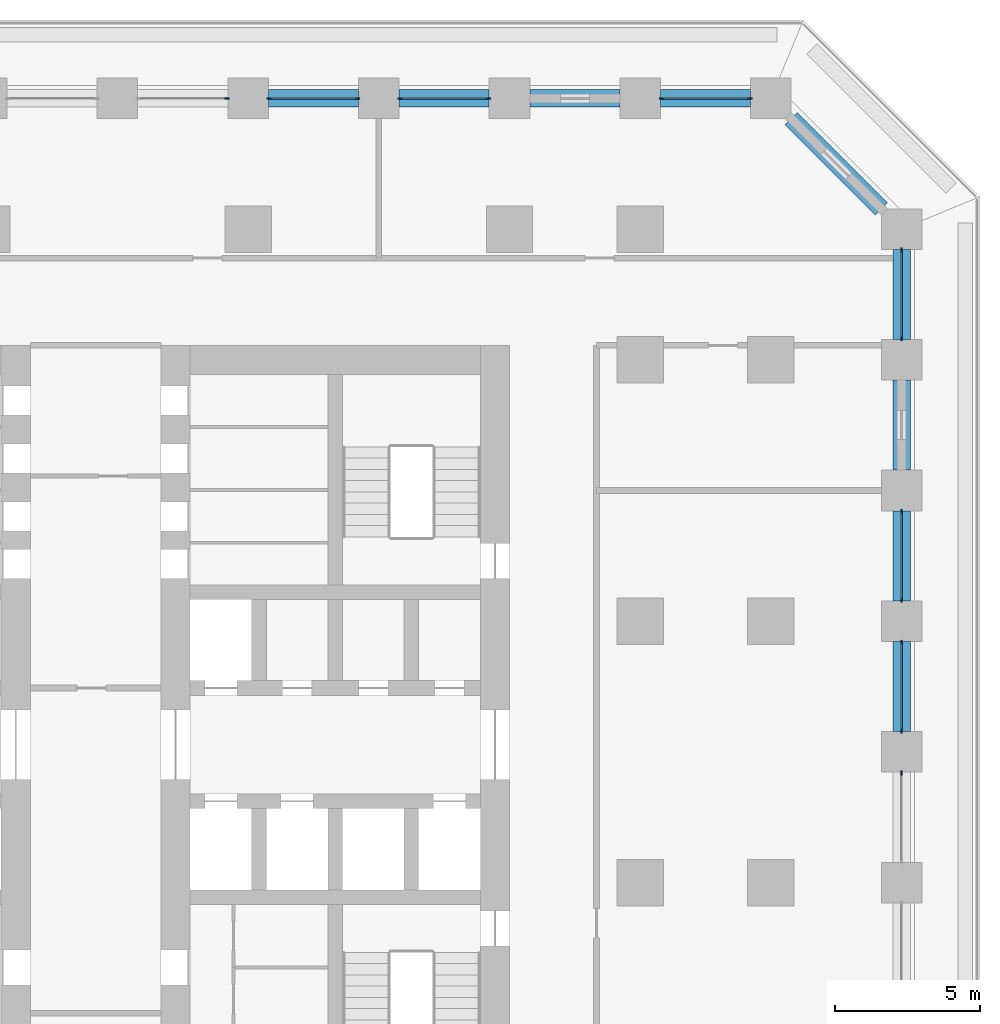
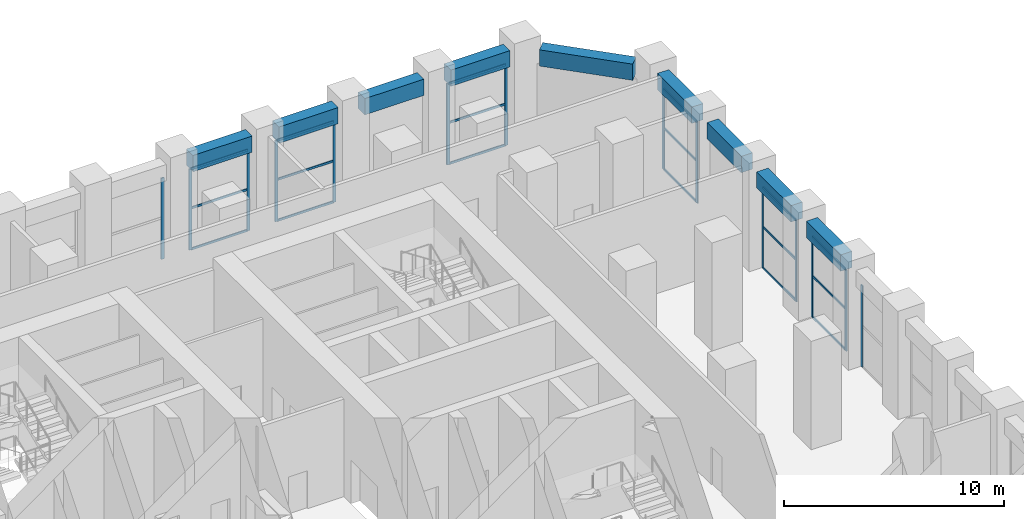
# One storey, part 8 of 19: 32 members, 9 beams, 8 elements without a shape of their own.
"""IFC4 building model written with IfcOpenShell, lengths in metres."""

from ifc_helpers import new_model, si_unit, direction, frame, origin, origin_2d, place, context, subcontext, project, spatial, rectangle, extrude, material, material_profile, profile_set, type_object, element, aggregate, save


model = new_model("IFC4")

# Units and contexts
model_context = context("Model", 3, precision=1e-05, world=origin(), true_north=direction((0.0, 1.0)))
body_context = subcontext(model_context, "Body", "Model", "MODEL_VIEW")
ifc_project = project(units=[si_unit("LENGTHUNIT", "METRE"), si_unit("AREAUNIT", "SQUARE_METRE"), si_unit("VOLUMEUNIT", "CUBIC_METRE"), si_unit("PLANEANGLEUNIT", "RADIAN"), si_unit("MASSUNIT", "GRAM", prefix="KILO")], contexts=[model_context])

# Site, building, storey
site_placement = place(None, origin())
site = spatial("IfcSite", under=ifc_project, at=site_placement, CompositionType="ELEMENT")
building_placement = place(site_placement, origin())
building = spatial("IfcBuilding", under=site, at=building_placement, Name="Corbel Stack Research Tower", CompositionType="ELEMENT")
storey_placement = place(building_placement, frame((0.0, 0.0, 70.60009765625)))
storey = spatial("IfcBuildingStorey", under=building, at=storey_placement, Name="L16", CompositionType="ELEMENT", Elevation=70.60009765625)

# Curtain wall, member
ifc_material_1 = material(Name="Aluminium frame, clear glass", Category="aluminium")
curtain_wall_type = type_object("IfcCurtainWallType", Name="Amenity floor curtain wall CW2", PredefinedType="NOTDEFINED", material=ifc_material_1)
curtain_wall_1_placement = place(storey_placement, origin())
curtain_wall_1 = element("IfcCurtainWall", 1, at=curtain_wall_1_placement, inside=storey, type_object=curtain_wall_type, Name="Curtain wall CW2 L16 E06", PredefinedType="NOTDEFINED")
ifc_material_2 = material(Name="Aluminium mullion", Category="aluminium")
ifc_material_profile_1 = material_profile(ifc_material_2, rectangle(XDim=0.06005859375, YDim=0.159912109375, at=origin_2d()), Name="Mullion 60 x 160")
ifc_profile_set_1 = profile_set([ifc_material_profile_1], Name="Aluminium mullion")
member_type_1 = type_object("IfcMemberType", Name="Curtain wall mullion 60 x 160", PredefinedType="MULLION", material=ifc_profile_set_1)
member_1_placement = place(storey_placement, frame((31.5, 3.77001953125, 0.0), z_axis=(0.0, 0.0, 1.0), x_axis=(-1.0, 0.0, 0.0)))
member_1 = element("IfcMember", 2, at=member_1_placement, type_object=member_type_1, Name="CW2 L16 E06 mullion 2", PredefinedType="MULLION", context=body_context, shape_type="SweptSolid", body=[
    extrude(rectangle(XDim=0.06005859375, YDim=0.159912109375, at=origin_2d()), origin(), (0.0, 0.0, 1.0), 4.5),
])
aggregate(curtain_wall_1, [member_1])

# Curtain wall, members
curtain_wall_2_placement = place(storey_placement, origin())
curtain_wall_2 = element("IfcCurtainWall", 3, at=curtain_wall_2_placement, inside=storey, type_object=curtain_wall_type, Name="Curtain wall CW2 L16 E07", PredefinedType="NOTDEFINED")
member_2_placement = place(storey_placement, frame((31.5, 5.22998046875, 0.0), z_axis=(0.0, 0.0, 1.0), x_axis=(-1.0, 0.0, 0.0)))
member_2 = element("IfcMember", 4, at=member_2_placement, type_object=member_type_1, Name="CW2 L16 E07 mullion 1", PredefinedType="MULLION", context=body_context, shape_type="SweptSolid", body=[
    extrude(rectangle(XDim=0.06005859375, YDim=0.159912109375, at=origin_2d()), origin(), (0.0, 0.0, 1.0), 4.5),
])
member_3_placement = place(storey_placement, frame((31.5, 8.27001953125, 0.0), z_axis=(0.0, 0.0, 1.0), x_axis=(-1.0, 0.0, 0.0)))
member_3 = element("IfcMember", 5, at=member_3_placement, type_object=member_type_1, Name="CW2 L16 E07 mullion 2", PredefinedType="MULLION", context=body_context, shape_type="SweptSolid", body=[
    extrude(rectangle(XDim=0.06005859375, YDim=0.159912109375, at=origin_2d()), origin(), (0.0, 0.0, 1.0), 4.5),
])

curtain_wall_3_placement = place(storey_placement, origin())
curtain_wall_3 = element("IfcCurtainWall", 6, at=curtain_wall_3_placement, inside=storey, type_object=curtain_wall_type, Name="Curtain wall CW2 L16 E08", PredefinedType="NOTDEFINED")
member_4_placement = place(storey_placement, frame((31.5, 9.72998046875, 0.0), z_axis=(0.0, 0.0, 1.0), x_axis=(-1.0, 0.0, 0.0)))
member_4 = element("IfcMember", 7, at=member_4_placement, type_object=member_type_1, Name="CW2 L16 E08 mullion 1", PredefinedType="MULLION", context=body_context, shape_type="SweptSolid", body=[
    extrude(rectangle(XDim=0.06005859375, YDim=0.159912109375, at=origin_2d()), origin(), (0.0, 0.0, 1.0), 4.5),
])
member_5_placement = place(storey_placement, frame((31.5, 12.77001953125, 0.0), z_axis=(0.0, 0.0, 1.0), x_axis=(-1.0, 0.0, 0.0)))
member_5 = element("IfcMember", 8, at=member_5_placement, type_object=member_type_1, Name="CW2 L16 E08 mullion 2", PredefinedType="MULLION", context=body_context, shape_type="SweptSolid", body=[
    extrude(rectangle(XDim=0.06005859375, YDim=0.159912109375, at=origin_2d()), origin(), (0.0, 0.0, 1.0), 4.5),
])

curtain_wall_4_placement = place(storey_placement, origin())
curtain_wall_4 = element("IfcCurtainWall", 9, at=curtain_wall_4_placement, inside=storey, type_object=curtain_wall_type, Name="Curtain wall CW2 L16 E10", PredefinedType="NOTDEFINED")
member_6_placement = place(storey_placement, frame((31.5, 18.72998046875, 0.0), z_axis=(0.0, 0.0, 1.0), x_axis=(-1.0, 0.0, 0.0)))
member_6 = element("IfcMember", 10, at=member_6_placement, type_object=member_type_1, Name="CW2 L16 E10 mullion 1", PredefinedType="MULLION", context=body_context, shape_type="SweptSolid", body=[
    extrude(rectangle(XDim=0.06005859375, YDim=0.159912109375, at=origin_2d()), origin(), (0.0, 0.0, 1.0), 4.5),
])
member_7_placement = place(storey_placement, frame((31.5, 21.77001953125, 0.0), z_axis=(0.0, 0.0, 1.0), x_axis=(-1.0, 0.0, 0.0)))
member_7 = element("IfcMember", 11, at=member_7_placement, type_object=member_type_1, Name="CW2 L16 E10 mullion 2", PredefinedType="MULLION", context=body_context, shape_type="SweptSolid", body=[
    extrude(rectangle(XDim=0.06005859375, YDim=0.159912109375, at=origin_2d()), origin(), (0.0, 0.0, 1.0), 4.5),
])

curtain_wall_5_placement = place(storey_placement, origin())
curtain_wall_5 = element("IfcCurtainWall", 12, at=curtain_wall_5_placement, inside=storey, type_object=curtain_wall_type, Name="Curtain wall CW2 L16 N01", PredefinedType="NOTDEFINED")
member_8_placement = place(storey_placement, frame((26.27001953125, 27.0, 0.0), z_axis=(0.0, 0.0, 1.0), x_axis=(0.0, -1.0, 0.0)))
member_8 = element("IfcMember", 13, at=member_8_placement, type_object=member_type_1, Name="CW2 L16 N01 mullion 1", PredefinedType="MULLION", context=body_context, shape_type="SweptSolid", body=[
    extrude(rectangle(XDim=0.06005859375, YDim=0.159912109375, at=origin_2d()), origin(), (0.0, 0.0, 1.0), 4.5),
])
member_9_placement = place(storey_placement, frame((23.22998046875, 27.0, 0.0), z_axis=(0.0, 0.0, 1.0), x_axis=(0.0, -1.0, 0.0)))
member_9 = element("IfcMember", 14, at=member_9_placement, type_object=member_type_1, Name="CW2 L16 N01 mullion 2", PredefinedType="MULLION", context=body_context, shape_type="SweptSolid", body=[
    extrude(rectangle(XDim=0.06005859375, YDim=0.159912109375, at=origin_2d()), origin(), (0.0, 0.0, 1.0), 4.5),
])

curtain_wall_6_placement = place(storey_placement, origin())
curtain_wall_6 = element("IfcCurtainWall", 15, at=curtain_wall_6_placement, inside=storey, type_object=curtain_wall_type, Name="Curtain wall CW2 L16 N03", PredefinedType="NOTDEFINED")
member_10_placement = place(storey_placement, frame((17.27001953125, 27.0, 0.0), z_axis=(0.0, 0.0, 1.0), x_axis=(0.0, -1.0, 0.0)))
member_10 = element("IfcMember", 16, at=member_10_placement, type_object=member_type_1, Name="CW2 L16 N03 mullion 1", PredefinedType="MULLION", context=body_context, shape_type="SweptSolid", body=[
    extrude(rectangle(XDim=0.06005859375, YDim=0.159912109375, at=origin_2d()), origin(), (0.0, 0.0, 1.0), 4.5),
])
member_11_placement = place(storey_placement, frame((14.22998046875, 27.0, 0.0), z_axis=(0.0, 0.0, 1.0), x_axis=(0.0, -1.0, 0.0)))
member_11 = element("IfcMember", 17, at=member_11_placement, type_object=member_type_1, Name="CW2 L16 N03 mullion 2", PredefinedType="MULLION", context=body_context, shape_type="SweptSolid", body=[
    extrude(rectangle(XDim=0.06005859375, YDim=0.159912109375, at=origin_2d()), origin(), (0.0, 0.0, 1.0), 4.5),
])

curtain_wall_7_placement = place(storey_placement, origin())
curtain_wall_7 = element("IfcCurtainWall", 18, at=curtain_wall_7_placement, inside=storey, type_object=curtain_wall_type, Name="Curtain wall CW2 L16 N04", PredefinedType="NOTDEFINED")
member_12_placement = place(storey_placement, frame((12.77001953125, 27.0, 0.0), z_axis=(0.0, 0.0, 1.0), x_axis=(0.0, -1.0, 0.0)))
member_12 = element("IfcMember", 19, at=member_12_placement, type_object=member_type_1, Name="CW2 L16 N04 mullion 1", PredefinedType="MULLION", context=body_context, shape_type="SweptSolid", body=[
    extrude(rectangle(XDim=0.06005859375, YDim=0.159912109375, at=origin_2d()), origin(), (0.0, 0.0, 1.0), 4.5),
])
member_13_placement = place(storey_placement, frame((9.72998046875, 27.0, 0.0), z_axis=(0.0, 0.0, 1.0), x_axis=(0.0, -1.0, 0.0)))
member_13 = element("IfcMember", 20, at=member_13_placement, type_object=member_type_1, Name="CW2 L16 N04 mullion 2", PredefinedType="MULLION", context=body_context, shape_type="SweptSolid", body=[
    extrude(rectangle(XDim=0.06005859375, YDim=0.159912109375, at=origin_2d()), origin(), (0.0, 0.0, 1.0), 4.5),
])

# Curtain wall, member
curtain_wall_8_placement = place(storey_placement, origin())
curtain_wall_8 = element("IfcCurtainWall", 21, at=curtain_wall_8_placement, inside=storey, type_object=curtain_wall_type, Name="Curtain wall CW2 L16 N05", PredefinedType="NOTDEFINED")
member_14_placement = place(storey_placement, frame((8.27001953125, 27.0, 0.0), z_axis=(0.0, 0.0, 1.0), x_axis=(0.0, -1.0, 0.0)))
member_14 = element("IfcMember", 22, at=member_14_placement, type_object=member_type_1, Name="CW2 L16 N05 mullion 1", PredefinedType="MULLION", context=body_context, shape_type="SweptSolid", body=[
    extrude(rectangle(XDim=0.06005859375, YDim=0.159912109375, at=origin_2d()), origin(), (0.0, 0.0, 1.0), 4.5),
])
aggregate(curtain_wall_8, [member_14])

# Member
ifc_material_3 = material(Name="Aluminium transom", Category="aluminium")
ifc_material_profile_2 = material_profile(ifc_material_3, rectangle(XDim=0.06005859375, YDim=0.1201171875, at=origin_2d()), Name="Transom 60 x 120")
ifc_profile_set_2 = profile_set([ifc_material_profile_2], Name="Aluminium transom")
member_type_2 = type_object("IfcMemberType", Name="Curtain wall transom 60 x 120", PredefinedType="USERDEFINED", material=ifc_profile_set_2)
member_15_placement = place(storey_placement, frame((31.5, 5.260009765625, 0.02978515625), z_axis=(0.0, 1.0, 0.0), x_axis=(-1.0, 0.0, 0.0)))
member_15 = element("IfcMember", 23, at=member_15_placement, type_object=member_type_2, Name="CW2 L16 E07 transom 1.1", ObjectType="TRANSOM", PredefinedType="USERDEFINED", context=body_context, shape_type="SweptSolid", body=[
    extrude(rectangle(XDim=0.06005859375, YDim=0.1201171875, at=origin_2d()), origin(), (0.0, 0.0, 1.0), 2.97998046875),
])

member_16_placement = place(storey_placement, frame((31.5, 5.260009765625, 2.2998046875), z_axis=(0.0, 1.0, 0.0), x_axis=(-1.0, 0.0, 0.0)))
member_16 = element("IfcMember", 24, at=member_16_placement, type_object=member_type_2, Name="CW2 L16 E07 transom 1.2", ObjectType="TRANSOM", PredefinedType="USERDEFINED", context=body_context, shape_type="SweptSolid", body=[
    extrude(rectangle(XDim=0.06005859375, YDim=0.1201171875, at=origin_2d()), origin(), (0.0, 0.0, 1.0), 2.97998046875),
])

member_17_placement = place(storey_placement, frame((31.5, 5.260009765625, 4.469970703125), z_axis=(0.0, 1.0, 0.0), x_axis=(-1.0, 0.0, 0.0)))
member_17 = element("IfcMember", 25, at=member_17_placement, type_object=member_type_2, Name="CW2 L16 E07 transom 1.3", ObjectType="TRANSOM", PredefinedType="USERDEFINED", context=body_context, shape_type="SweptSolid", body=[
    extrude(rectangle(XDim=0.06005859375, YDim=0.1201171875, at=origin_2d()), origin(), (0.0, 0.0, 1.0), 2.97998046875),
])

aggregate(curtain_wall_2, [member_2, member_3, member_15, member_16, member_17])

member_18_placement = place(storey_placement, frame((31.5, 9.760009765625, 0.02978515625), z_axis=(0.0, 1.0, 0.0), x_axis=(-1.0, 0.0, 0.0)))
member_18 = element("IfcMember", 26, at=member_18_placement, type_object=member_type_2, Name="CW2 L16 E08 transom 1.1", ObjectType="TRANSOM", PredefinedType="USERDEFINED", context=body_context, shape_type="SweptSolid", body=[
    extrude(rectangle(XDim=0.06005859375, YDim=0.1201171875, at=origin_2d()), origin(), (0.0, 0.0, 1.0), 2.97998046875),
])

member_19_placement = place(storey_placement, frame((31.5, 9.760009765625, 2.2998046875), z_axis=(0.0, 1.0, 0.0), x_axis=(-1.0, 0.0, 0.0)))
member_19 = element("IfcMember", 27, at=member_19_placement, type_object=member_type_2, Name="CW2 L16 E08 transom 1.2", ObjectType="TRANSOM", PredefinedType="USERDEFINED", context=body_context, shape_type="SweptSolid", body=[
    extrude(rectangle(XDim=0.06005859375, YDim=0.1201171875, at=origin_2d()), origin(), (0.0, 0.0, 1.0), 2.97998046875),
])

member_20_placement = place(storey_placement, frame((31.5, 9.760009765625, 4.469970703125), z_axis=(0.0, 1.0, 0.0), x_axis=(-1.0, 0.0, 0.0)))
member_20 = element("IfcMember", 28, at=member_20_placement, type_object=member_type_2, Name="CW2 L16 E08 transom 1.3", ObjectType="TRANSOM", PredefinedType="USERDEFINED", context=body_context, shape_type="SweptSolid", body=[
    extrude(rectangle(XDim=0.06005859375, YDim=0.1201171875, at=origin_2d()), origin(), (0.0, 0.0, 1.0), 2.97998046875),
])

aggregate(curtain_wall_3, [member_4, member_5, member_18, member_19, member_20])

member_21_placement = place(storey_placement, frame((31.5, 18.760009765625, 0.02978515625), z_axis=(0.0, 1.0, 0.0), x_axis=(-1.0, 0.0, 0.0)))
member_21 = element("IfcMember", 29, at=member_21_placement, type_object=member_type_2, Name="CW2 L16 E10 transom 1.1", ObjectType="TRANSOM", PredefinedType="USERDEFINED", context=body_context, shape_type="SweptSolid", body=[
    extrude(rectangle(XDim=0.06005859375, YDim=0.1201171875, at=origin_2d()), origin(), (0.0, 0.0, 1.0), 2.97998046875),
])

member_22_placement = place(storey_placement, frame((31.5, 18.760009765625, 2.2998046875), z_axis=(0.0, 1.0, 0.0), x_axis=(-1.0, 0.0, 0.0)))
member_22 = element("IfcMember", 30, at=member_22_placement, type_object=member_type_2, Name="CW2 L16 E10 transom 1.2", ObjectType="TRANSOM", PredefinedType="USERDEFINED", context=body_context, shape_type="SweptSolid", body=[
    extrude(rectangle(XDim=0.06005859375, YDim=0.1201171875, at=origin_2d()), origin(), (0.0, 0.0, 1.0), 2.97998046875),
])

member_23_placement = place(storey_placement, frame((31.5, 18.760009765625, 4.469970703125), z_axis=(0.0, 1.0, 0.0), x_axis=(-1.0, 0.0, 0.0)))
member_23 = element("IfcMember", 31, at=member_23_placement, type_object=member_type_2, Name="CW2 L16 E10 transom 1.3", ObjectType="TRANSOM", PredefinedType="USERDEFINED", context=body_context, shape_type="SweptSolid", body=[
    extrude(rectangle(XDim=0.06005859375, YDim=0.1201171875, at=origin_2d()), origin(), (0.0, 0.0, 1.0), 2.97998046875),
])

aggregate(curtain_wall_4, [member_6, member_7, member_21, member_22, member_23])

member_24_placement = place(storey_placement, frame((26.239990234375, 27.0, 0.02978515625), z_axis=(-1.0, 0.0, 0.0), x_axis=(0.0, -1.0, 0.0)))
member_24 = element("IfcMember", 32, at=member_24_placement, type_object=member_type_2, Name="CW2 L16 N01 transom 1.1", ObjectType="TRANSOM", PredefinedType="USERDEFINED", context=body_context, shape_type="SweptSolid", body=[
    extrude(rectangle(XDim=0.06005859375, YDim=0.1201171875, at=origin_2d()), origin(), (0.0, 0.0, 1.0), 2.97998046875),
])

member_25_placement = place(storey_placement, frame((26.239990234375, 27.0, 2.2998046875), z_axis=(-1.0, 0.0, 0.0), x_axis=(0.0, -1.0, 0.0)))
member_25 = element("IfcMember", 33, at=member_25_placement, type_object=member_type_2, Name="CW2 L16 N01 transom 1.2", ObjectType="TRANSOM", PredefinedType="USERDEFINED", context=body_context, shape_type="SweptSolid", body=[
    extrude(rectangle(XDim=0.06005859375, YDim=0.1201171875, at=origin_2d()), origin(), (0.0, 0.0, 1.0), 2.97998046875),
])

member_26_placement = place(storey_placement, frame((26.239990234375, 27.0, 4.469970703125), z_axis=(-1.0, 0.0, 0.0), x_axis=(0.0, -1.0, 0.0)))
member_26 = element("IfcMember", 34, at=member_26_placement, type_object=member_type_2, Name="CW2 L16 N01 transom 1.3", ObjectType="TRANSOM", PredefinedType="USERDEFINED", context=body_context, shape_type="SweptSolid", body=[
    extrude(rectangle(XDim=0.06005859375, YDim=0.1201171875, at=origin_2d()), origin(), (0.0, 0.0, 1.0), 2.97998046875),
])

aggregate(curtain_wall_5, [member_8, member_9, member_24, member_25, member_26])

member_27_placement = place(storey_placement, frame((17.239990234375, 27.0, 0.02978515625), z_axis=(-1.0, 0.0, 0.0), x_axis=(0.0, -1.0, 0.0)))
member_27 = element("IfcMember", 35, at=member_27_placement, type_object=member_type_2, Name="CW2 L16 N03 transom 1.1", ObjectType="TRANSOM", PredefinedType="USERDEFINED", context=body_context, shape_type="SweptSolid", body=[
    extrude(rectangle(XDim=0.06005859375, YDim=0.1201171875, at=origin_2d()), origin(), (0.0, 0.0, 1.0), 2.97998046875),
])

member_28_placement = place(storey_placement, frame((17.239990234375, 27.0, 2.2998046875), z_axis=(-1.0, 0.0, 0.0), x_axis=(0.0, -1.0, 0.0)))
member_28 = element("IfcMember", 36, at=member_28_placement, type_object=member_type_2, Name="CW2 L16 N03 transom 1.2", ObjectType="TRANSOM", PredefinedType="USERDEFINED", context=body_context, shape_type="SweptSolid", body=[
    extrude(rectangle(XDim=0.06005859375, YDim=0.1201171875, at=origin_2d()), origin(), (0.0, 0.0, 1.0), 2.97998046875),
])

member_29_placement = place(storey_placement, frame((17.239990234375, 27.0, 4.469970703125), z_axis=(-1.0, 0.0, 0.0), x_axis=(0.0, -1.0, 0.0)))
member_29 = element("IfcMember", 37, at=member_29_placement, type_object=member_type_2, Name="CW2 L16 N03 transom 1.3", ObjectType="TRANSOM", PredefinedType="USERDEFINED", context=body_context, shape_type="SweptSolid", body=[
    extrude(rectangle(XDim=0.06005859375, YDim=0.1201171875, at=origin_2d()), origin(), (0.0, 0.0, 1.0), 2.97998046875),
])

aggregate(curtain_wall_6, [member_10, member_11, member_27, member_28, member_29])

member_30_placement = place(storey_placement, frame((12.739990234375, 27.0, 0.02978515625), z_axis=(-1.0, 0.0, 0.0), x_axis=(0.0, -1.0, 0.0)))
member_30 = element("IfcMember", 38, at=member_30_placement, type_object=member_type_2, Name="CW2 L16 N04 transom 1.1", ObjectType="TRANSOM", PredefinedType="USERDEFINED", context=body_context, shape_type="SweptSolid", body=[
    extrude(rectangle(XDim=0.06005859375, YDim=0.1201171875, at=origin_2d()), origin(), (0.0, 0.0, 1.0), 2.97998046875),
])

member_31_placement = place(storey_placement, frame((12.739990234375, 27.0, 2.2998046875), z_axis=(-1.0, 0.0, 0.0), x_axis=(0.0, -1.0, 0.0)))
member_31 = element("IfcMember", 39, at=member_31_placement, type_object=member_type_2, Name="CW2 L16 N04 transom 1.2", ObjectType="TRANSOM", PredefinedType="USERDEFINED", context=body_context, shape_type="SweptSolid", body=[
    extrude(rectangle(XDim=0.06005859375, YDim=0.1201171875, at=origin_2d()), origin(), (0.0, 0.0, 1.0), 2.97998046875),
])

member_32_placement = place(storey_placement, frame((12.739990234375, 27.0, 4.469970703125), z_axis=(-1.0, 0.0, 0.0), x_axis=(0.0, -1.0, 0.0)))
member_32 = element("IfcMember", 40, at=member_32_placement, type_object=member_type_2, Name="CW2 L16 N04 transom 1.3", ObjectType="TRANSOM", PredefinedType="USERDEFINED", context=body_context, shape_type="SweptSolid", body=[
    extrude(rectangle(XDim=0.06005859375, YDim=0.1201171875, at=origin_2d()), origin(), (0.0, 0.0, 1.0), 2.97998046875),
])

aggregate(curtain_wall_7, [member_12, member_13, member_30, member_31, member_32])

# Beams
ifc_material_4 = material(Name="Concrete C60/75", Category="concrete")
ifc_material_profile_3 = material_profile(ifc_material_4, rectangle(XDim=0.60009765625, YDim=0.89990234375, at=origin_2d()), Name="RC 600 x 900")
ifc_profile_set_3 = profile_set([ifc_material_profile_3], Name="Concrete C60/75")
beam_type = type_object("IfcBeamType", Name="SB-600-900-600", PredefinedType="SPANDREL", material=ifc_profile_set_3)
for number, where, z_axis, x_axis, name in (
    (41, (31.5, 5.199951171875, 4.949951171875), (0.0, 1.0, 0.0), (-1.0, 0.0, 0.0), "Spandrel beam L16-18"),
    (42, (31.5, 9.699951171875, 4.949951171875), (0.0, 1.0, 0.0), (-1.0, 0.0, 0.0), "Spandrel beam L16-19"),
    (43, (31.5, 14.199951171875, 4.949951171875), (0.0, 1.0, 0.0), (-1.0, 0.0, 0.0), "Spandrel beam L16-20"),
    (44, (31.5, 18.699951171875, 4.949951171875), (0.0, 1.0, 0.0), (-1.0, 0.0, 0.0), "Spandrel beam L16-21"),
):
    element("IfcBeam", number, at=place(storey_placement, frame(where, z_axis=z_axis, x_axis=x_axis)), inside=storey, type_object=beam_type, Name=name, PredefinedType="SPANDREL", context=body_context, shape_type="SweptSolid", body=[
        extrude(rectangle(XDim=0.60009765625, YDim=0.89990234375, at=origin_2d()), origin(), (0.0, 0.0, 1.0), 3.10009765625),
    ])
beam_placement = place(storey_placement, frame((30.800048828125, 23.199951171875, 4.949951171875), z_axis=(-0.707106781187, 0.707106781187, 0.0), x_axis=(-0.707106781187, -0.707106781187, 0.0)))
element("IfcBeam", 45, at=beam_placement, inside=storey, type_object=beam_type, Name="Spandrel beam L16-22", PredefinedType="SPANDREL", context=body_context, shape_type="SweptSolid", body=[
    extrude(rectangle(XDim=0.60009765625, YDim=0.89990234375, at=origin_2d()), origin(), (0.0, 0.0, 1.0), 4.38427734375),
])
for number, where, z_axis, x_axis, name in (
    (46, (26.300048828125, 27.0, 4.949951171875), (-1.0, 0.0, 0.0), (0.0, -1.0, 0.0), "Spandrel beam L16-23"),
    (47, (21.800048828125, 27.0, 4.949951171875), (-1.0, 0.0, 0.0), (0.0, -1.0, 0.0), "Spandrel beam L16-24"),
    (48, (17.300048828125, 27.0, 4.949951171875), (-1.0, 0.0, 0.0), (0.0, -1.0, 0.0), "Spandrel beam L16-25"),
    (49, (12.800048828125, 27.0, 4.949951171875), (-1.0, 0.0, 0.0), (0.0, -1.0, 0.0), "Spandrel beam L16-26"),
):
    element("IfcBeam", number, at=place(storey_placement, frame(where, z_axis=z_axis, x_axis=x_axis)), inside=storey, type_object=beam_type, Name=name, PredefinedType="SPANDREL", context=body_context, shape_type="SweptSolid", body=[
        extrude(rectangle(XDim=0.60009765625, YDim=0.89990234375, at=origin_2d()), origin(), (0.0, 0.0, 1.0), 3.10009765625),
    ])

save(model, "model.ifc")
